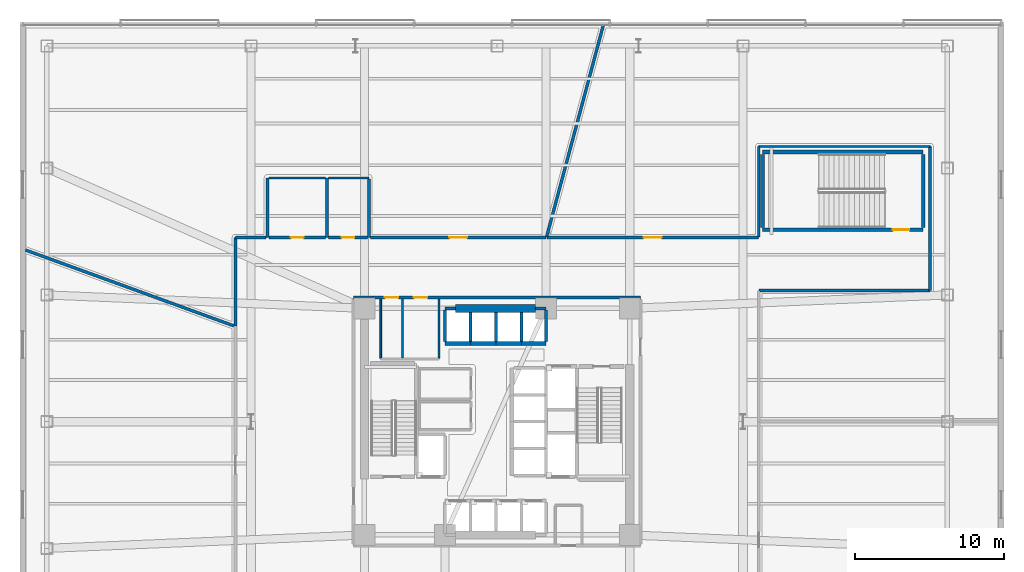
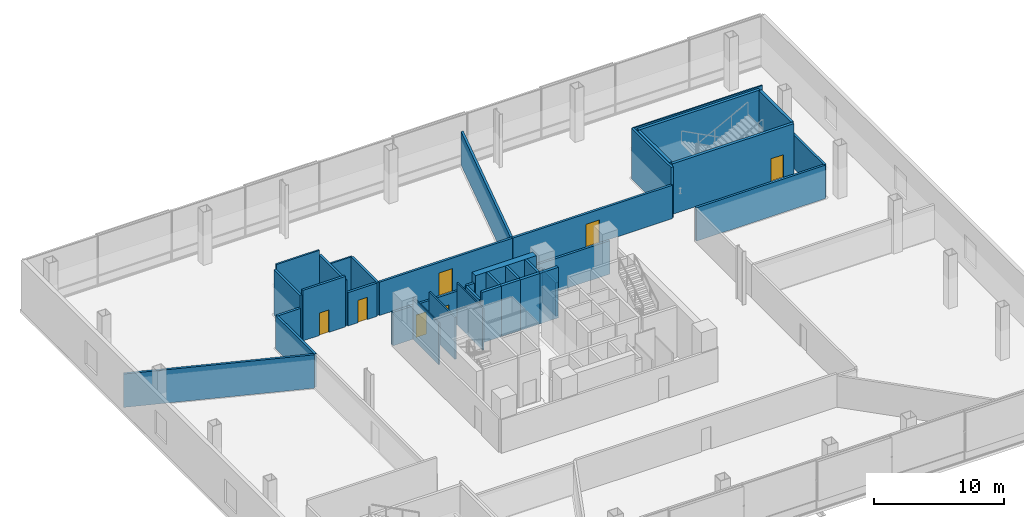
# One storey, part 13 of 24: 37 walls, 7 doors, 7 openings.
"""IFC4 building model written with IfcOpenShell, lengths in metres."""

from ifc_helpers import new_model, si_unit, direction, frame, frame_2d, origin, place, context, subcontext, project, spatial, rectangle, extrude, material, layer, layer_set, type_object, element, fill, save


model = new_model("IFC4")

# Units and contexts
model_context = context("Model", 3, precision=1e-05, world=origin(), true_north=direction((0.0, 1.0)))
body_context = subcontext(model_context, "Body", "Model", "MODEL_VIEW")
ifc_project = project(units=[si_unit("LENGTHUNIT", "METRE"), si_unit("AREAUNIT", "SQUARE_METRE"), si_unit("VOLUMEUNIT", "CUBIC_METRE"), si_unit("PLANEANGLEUNIT", "RADIAN"), si_unit("MASSUNIT", "GRAM", prefix="KILO")], contexts=[model_context])

# Site, building, storey
site_placement = place(None, origin())
site = spatial("IfcSite", under=ifc_project, at=site_placement, CompositionType="ELEMENT")
building_placement = place(site_placement, origin())
building = spatial("IfcBuilding", under=site, at=building_placement, Name="Tharavind Bronze Gate", CompositionType="ELEMENT")
storey_placement = place(building_placement, frame((0.0, 0.0, 21.5)))
storey = spatial("IfcBuildingStorey", under=building, at=storey_placement, Name="L04", CompositionType="ELEMENT", Elevation=21.5)

# Wall, openings, doors
ifc_material_1 = material(Name="Aerated Concrete Block", Category="concrete")
ifc_layer_1 = layer(ifc_material_1, 0.199951171875)
ifc_layer_set_1 = layer_set([ifc_layer_1], Name="Aerated Concrete Block")
wall_type_1 = type_object("IfcWallType", Name="FIRE RATED PARTITION 200", PredefinedType="PARTITIONING", material=ifc_layer_set_1)
wall_1_placement = place(storey_placement, frame((9.6201171875, 8.320068359375, 0.0), z_axis=(0.0, 0.0, 1.0), x_axis=(-1.0, 0.0, 0.0)))
wall_1 = element("IfcWall", 1, at=wall_1_placement, inside=storey, type_object=wall_type_1, Name="L04 north core corridor wall", PredefinedType="PARTITIONING", context=body_context, shape_type="SweptSolid", body=[
    extrude(rectangle(XDim=19.240234375, YDim=0.199951171875, at=frame_2d((9.6201171875, 0.0))), origin(), (0.0, 0.0, 1.0), 3.135009765625),
])
opening_1_placement = place(wall_1_placement, frame((16.2451171875, 0.0, 0.0)))
opening_1 = element("IfcOpeningElement", 2, at=opening_1_placement, cuts=wall_1, Name="Opening ID07", PredefinedType="OPENING", context=body_context, shape_type="SweptSolid", body=[
    extrude(rectangle(XDim=0.89990234375, YDim=2.10009765625, at=frame_2d((0.449951171875, 1.050048828125))), frame((0.0, 0.11009765625, 0.0), z_axis=(0.0, -1.0, 0.0), x_axis=(1.0, 0.0, 0.0)), (0.0, 0.0, 1.0), 0.219951171875),
])
opening_2_placement = place(wall_1_placement, frame((14.294921875, 0.0, 0.0)))
opening_2 = element("IfcOpeningElement", 3, at=opening_2_placement, cuts=wall_1, Name="Opening ID07", PredefinedType="OPENING", context=body_context, shape_type="SweptSolid", body=[
    extrude(rectangle(XDim=0.89990234375, YDim=2.10009765625, at=frame_2d((0.449951171875, 1.050048828125))), frame((0.0, 0.11009765625, 0.0), z_axis=(0.0, -1.0, 0.0), x_axis=(1.0, 0.0, 0.0)), (0.0, 0.0, 1.0), 0.219951171875),
])
ifc_material_2 = material(Name="Galvanised Fire Steel", Category="steel")
door_type_1 = type_object("IfcDoorType", Name="PLANT AND RISER FIRE DOOR 900X2100", OperationType="SINGLE_SWING_LEFT", PredefinedType="DOOR", material=ifc_material_2)
door_1_placement = place(opening_1_placement, frame((0.89990234375, 0.0, 0.0), z_axis=(0.0, 0.0, 1.0), x_axis=(-1.0, 0.0, 0.0)))
door_1 = element("IfcDoor", 4, at=door_1_placement, inside=storey, type_object=door_type_1, Name="L04 Battery Backup Cupboard fire door", OperationType="SINGLE_SWING_LEFT", OverallHeight=2.10009765625, OverallWidth=0.89990234375, PredefinedType="DOOR", context=body_context, shape_type="SweptSolid", body=[
    extrude(rectangle(XDim=0.89990234375, YDim=2.10009765625, at=frame_2d((0.449951171875, 1.050048828125))), frame((0.0, 0.02490234375, 0.0), z_axis=(0.0, -1.0, 0.0), x_axis=(1.0, 0.0, 0.0)), (0.0, 0.0, 1.0), 0.050048828125),
])
fill(opening_1, door_1)
door_2_placement = place(opening_2_placement, frame((0.89990234375, 0.0, 0.0), z_axis=(0.0, 0.0, 1.0), x_axis=(-1.0, 0.0, 0.0)))
door_2 = element("IfcDoor", 5, at=door_2_placement, inside=storey, type_object=door_type_1, Name="L04 Cleaner Store Room fire door", OperationType="SINGLE_SWING_LEFT", OverallHeight=2.10009765625, OverallWidth=0.89990234375, PredefinedType="DOOR", context=body_context, shape_type="SweptSolid", body=[
    extrude(rectangle(XDim=0.89990234375, YDim=2.10009765625, at=frame_2d((0.449951171875, 1.050048828125))), frame((0.0, 0.02490234375, 0.0), z_axis=(0.0, -1.0, 0.0), x_axis=(1.0, 0.0, 0.0)), (0.0, 0.0, 1.0), 0.050048828125),
])
fill(opening_2, door_2)

# Walls
wall_2_placement = place(storey_placement, frame((-11.39990234375, 12.35009765625, 0.0), z_axis=(0.0, 0.0, 1.0), x_axis=(0.0, 1.0, 0.0)))
element("IfcWall", 6, at=wall_2_placement, inside=storey, type_object=wall_type_1, Name="L04 Accessible Toilet partition", PredefinedType="PARTITIONING", context=body_context, shape_type="SweptSolid", body=[
    extrude(rectangle(XDim=4.0, YDim=0.199951171875, at=frame_2d((2.0, 0.0))), origin(), (0.0, 0.0, 1.0), 4.284912109375),
])
wall_3_placement = place(storey_placement, frame((-8.60009765625, 16.27001953125, 0.0), z_axis=(0.0, 0.0, 1.0), x_axis=(0.0, -1.0, 0.0)))
element("IfcWall", 7, at=wall_3_placement, inside=storey, type_object=wall_type_1, Name="L04 Accessible Toilet partition", PredefinedType="PARTITIONING", context=body_context, shape_type="SweptSolid", body=[
    extrude(rectangle(XDim=3.919921875, YDim=0.199951171875, at=frame_2d((1.9599609375, 0.0))), origin(), (0.0, 0.0, 1.0), 3.135009765625),
])

# Wall, opening, door
wall_4_placement = place(storey_placement, frame((-8.705078125, 12.35009765625, 0.0), z_axis=(0.0, 0.0, 1.0), x_axis=(-1.0, 0.0, 0.0)))
wall_4 = element("IfcWall", 8, at=wall_4_placement, inside=storey, type_object=wall_type_1, Name="L04 Accessible Toilet partition", PredefinedType="PARTITIONING", context=body_context, shape_type="SweptSolid", body=[
    extrude(rectangle(XDim=2.58984375, YDim=0.199951171875, at=frame_2d((1.294921875, 0.0))), origin(), (0.0, 0.0, 1.0), 3.135009765625),
])
opening_3_placement = place(wall_4_placement, frame((0.8701171875, 0.0, 0.0)))
opening_3 = element("IfcOpeningElement", 9, at=opening_3_placement, cuts=wall_4, Name="Opening ID06", PredefinedType="OPENING", context=body_context, shape_type="SweptSolid", body=[
    extrude(rectangle(XDim=0.85009765625, YDim=2.10009765625, at=frame_2d((0.425048828125, 1.050048828125))), frame((0.0, 0.11009765625, 0.0), z_axis=(0.0, -1.0, 0.0), x_axis=(1.0, 0.0, 0.0)), (0.0, 0.0, 1.0), 0.219951171875),
])
ifc_material_3 = material(Name="Moisture-Resistant Timber", Category="wood")
door_type_2 = type_object("IfcDoorType", Name="BATHROOM PRIVACY DOOR 850X2100", OperationType="SINGLE_SWING_RIGHT", PredefinedType="DOOR", material=ifc_material_3)
door_3_placement = place(opening_3_placement, origin())
door_3 = element("IfcDoor", 10, at=door_3_placement, inside=storey, type_object=door_type_2, Name="L04 Accessible Toilet door", OperationType="SINGLE_SWING_RIGHT", OverallHeight=2.10009765625, OverallWidth=0.85009765625, PredefinedType="DOOR", context=body_context, shape_type="SweptSolid", body=[
    extrude(rectangle(XDim=0.85009765625, YDim=2.10009765625, at=frame_2d((0.425048828125, 1.050048828125))), frame((0.0, 0.02490234375, 0.0), z_axis=(0.0, -1.0, 0.0), x_axis=(1.0, 0.0, 0.0)), (0.0, 0.0, 1.0), 0.050048828125),
])
fill(opening_3, door_3)

# Wall
wall_5_placement = place(storey_placement, frame((-15.39990234375, 12.35009765625, 0.0), z_axis=(0.0, 0.0, 1.0), x_axis=(0.0, 1.0, 0.0)))
element("IfcWall", 11, at=wall_5_placement, inside=storey, type_object=wall_type_1, Name="L04 Public Washroom partition", PredefinedType="PARTITIONING", context=body_context, shape_type="SweptSolid", body=[
    extrude(rectangle(XDim=4.0, YDim=0.199951171875, at=frame_2d((2.0, 0.0))), origin(), (0.0, 0.0, 1.0), 4.284912109375),
])

# Wall, opening, door
wall_6_placement = place(storey_placement, frame((-11.5048828125, 12.35009765625, 0.0), z_axis=(0.0, 0.0, 1.0), x_axis=(-1.0, 0.0, 0.0)))
wall_6 = element("IfcWall", 12, at=wall_6_placement, inside=storey, type_object=wall_type_1, Name="L04 Public Washroom partition", PredefinedType="PARTITIONING", context=body_context, shape_type="SweptSolid", body=[
    extrude(rectangle(XDim=3.7900390625, YDim=0.199951171875, at=frame_2d((1.89501953125, 0.0))), origin(), (0.0, 0.0, 1.0), 4.739990234375),
])
opening_4_placement = place(wall_6_placement, frame((1.469970703125, 0.0, 0.0)))
opening_4 = element("IfcOpeningElement", 13, at=opening_4_placement, cuts=wall_6, Name="Opening ID06", PredefinedType="OPENING", context=body_context, shape_type="SweptSolid", body=[
    extrude(rectangle(XDim=0.85009765625, YDim=2.10009765625, at=frame_2d((0.425048828125, 1.050048828125))), frame((0.0, 0.11009765625, 0.0), z_axis=(0.0, -1.0, 0.0), x_axis=(1.0, 0.0, 0.0)), (0.0, 0.0, 1.0), 0.219951171875),
])
door_4_placement = place(opening_4_placement, origin())
door_4 = element("IfcDoor", 14, at=door_4_placement, inside=storey, type_object=door_type_2, Name="L04 Public Washroom door", OperationType="SINGLE_SWING_RIGHT", OverallHeight=2.10009765625, OverallWidth=0.85009765625, PredefinedType="DOOR", context=body_context, shape_type="SweptSolid", body=[
    extrude(rectangle(XDim=0.85009765625, YDim=2.10009765625, at=frame_2d((0.425048828125, 1.050048828125))), frame((0.0, 0.02490234375, 0.0), z_axis=(0.0, -1.0, 0.0), x_axis=(1.0, 0.0, 0.0)), (0.0, 0.0, 1.0), 0.050048828125),
])
fill(opening_4, door_4)

# Wall
wall_7_placement = place(storey_placement, frame((17.550048828125, 18.449462890625, 0.0), z_axis=(0.0, 0.0, 1.0), x_axis=(0.0, -1.0, 0.0)))
element("IfcWall", 15, at=wall_7_placement, inside=storey, type_object=wall_type_1, Name="L04 Wellness Spa Treatment Hall partition", PredefinedType="PARTITIONING", context=body_context, shape_type="SweptSolid", body=[
    extrude(rectangle(XDim=6.074462890625, YDim=0.199951171875, at=frame_2d((3.037109375, 0.0))), origin(), (0.0, 0.0, 1.0), 4.739990234375),
])

# Wall, opening, door
wall_8_placement = place(storey_placement, frame((17.52490234375, 12.35009765625, 0.0), z_axis=(0.0, 0.0, 1.0), x_axis=(-1.0, 0.0, 0.0)))
wall_8 = element("IfcWall", 16, at=wall_8_placement, inside=storey, type_object=wall_type_1, Name="L04 Wellness Spa Treatment Hall partition", PredefinedType="PARTITIONING", context=body_context, shape_type="SweptSolid", body=[
    extrude(rectangle(XDim=14.18310546875, YDim=0.199951171875, at=frame_2d((7.091552734375, 0.0))), origin(), (0.0, 0.0, 1.0), 3.135009765625),
])
opening_5_placement = place(wall_8_placement, frame((6.491943359375, 0.0, 0.0)))
opening_5 = element("IfcOpeningElement", 17, at=opening_5_placement, cuts=wall_8, Name="Opening ID05", PredefinedType="OPENING", context=body_context, shape_type="SweptSolid", body=[
    extrude(rectangle(XDim=1.199951171875, YDim=2.14990234375, at=frame_2d((0.60009765625, 1.074951171875))), frame((0.0, 0.11009765625, 0.0), z_axis=(0.0, -1.0, 0.0), x_axis=(1.0, 0.0, 0.0)), (0.0, 0.0, 1.0), 0.219951171875),
])
ifc_material_4 = material(Name="Acoustic Laminated Glass", Category="glass")
door_type_3 = type_object("IfcDoorType", Name="MEETING ROOM GLAZED DOOR 1200X2150", OperationType="SINGLE_SWING_LEFT", PredefinedType="DOOR", material=ifc_material_4)
door_5_placement = place(opening_5_placement, origin())
door_5 = element("IfcDoor", 18, at=door_5_placement, inside=storey, type_object=door_type_3, Name="L04 Wellness Spa Treatment Hall door", OperationType="SINGLE_SWING_LEFT", OverallHeight=2.14990234375, OverallWidth=1.199951171875, PredefinedType="DOOR", context=body_context, shape_type="SweptSolid", body=[
    extrude(rectangle(XDim=1.199951171875, YDim=2.14990234375, at=frame_2d((0.60009765625, 1.074951171875))), frame((0.0, 0.02490234375, 0.0), z_axis=(0.0, -1.0, 0.0), x_axis=(1.0, 0.0, 0.0)), (0.0, 0.0, 1.0), 0.050048828125),
])
fill(opening_5, door_5)

# Walls
wall_9_placement = place(storey_placement, frame((3.317626953125, 12.381591796875, 0.0), z_axis=(0.0, 0.0, 1.0), x_axis=(0.258808202965, 0.965928731366, 0.0)))
element("IfcWall", 19, at=wall_9_placement, inside=storey, type_object=wall_type_1, Name="L04 Wellness Spa Treatment Hall partition", PredefinedType="PARTITIONING", context=body_context, shape_type="SweptSolid", body=[
    extrude(rectangle(XDim=14.721435546875, YDim=0.199951171875, at=frame_2d((7.36083984375, 0.0))), origin(), (0.0, 0.0, 1.0), 3.135009765625),
])
wall_10_placement = place(storey_placement, frame((17.574951171875, 8.800048828125, 0.0), z_axis=(0.0, 0.0, 1.0), x_axis=(1.0, 0.0, 0.0)))
element("IfcWall", 20, at=wall_10_placement, inside=storey, type_object=wall_type_1, Name="L04 Wellness Spa Treatment Hall partition", PredefinedType="PARTITIONING", context=body_context, shape_type="SweptSolid", body=[
    extrude(rectangle(XDim=11.474365234375, YDim=0.199951171875, at=frame_2d((5.7373046875, 0.0))), origin(), (0.0, 0.0, 1.0), 3.135009765625),
])
wall_11_placement = place(storey_placement, frame((29.050048828125, 8.800537109375, 0.0), z_axis=(0.0, 0.0, 1.0), x_axis=(0.0, 1.0, 0.0)))
element("IfcWall", 21, at=wall_11_placement, inside=storey, type_object=wall_type_1, Name="L04 Wellness Spa Treatment Hall partition", PredefinedType="PARTITIONING", context=body_context, shape_type="SweptSolid", body=[
    extrude(rectangle(XDim=9.64892578125, YDim=0.199951171875, at=frame_2d((4.824462890625, 0.0))), origin(), (0.0, 0.0, 1.0), 3.135009765625),
])

# Wall, opening, door
wall_12_placement = place(storey_placement, frame((3.2900390625, 12.35009765625, 0.0), z_axis=(0.0, 0.0, 1.0), x_axis=(-1.0, 0.0, 0.0)))
wall_12 = element("IfcWall", 22, at=wall_12_placement, inside=storey, type_object=wall_type_1, Name="L04 Indoor Lap Pool & Hydrotherapy Hall partition", PredefinedType="PARTITIONING", context=body_context, shape_type="SweptSolid", body=[
    extrude(rectangle(XDim=11.78515625, YDim=0.199951171875, at=frame_2d((5.892578125, 0.0))), origin(), (0.0, 0.0, 1.0), 3.135009765625),
])
opening_6_placement = place(wall_12_placement, frame((5.29296875, 0.0, 0.0)))
opening_6 = element("IfcOpeningElement", 23, at=opening_6_placement, cuts=wall_12, Name="Opening ID05", PredefinedType="OPENING", context=body_context, shape_type="SweptSolid", body=[
    extrude(rectangle(XDim=1.199951171875, YDim=2.14990234375, at=frame_2d((0.60009765625, 1.074951171875))), frame((0.0, 0.11009765625, 0.0), z_axis=(0.0, -1.0, 0.0), x_axis=(1.0, 0.0, 0.0)), (0.0, 0.0, 1.0), 0.219951171875),
])
door_6_placement = place(opening_6_placement, origin())
door_6 = element("IfcDoor", 24, at=door_6_placement, inside=storey, type_object=door_type_3, Name="L04 Indoor Lap Pool & Hydrotherapy Hall door", OperationType="SINGLE_SWING_LEFT", OverallHeight=2.14990234375, OverallWidth=1.199951171875, PredefinedType="DOOR", context=body_context, shape_type="SweptSolid", body=[
    extrude(rectangle(XDim=1.199951171875, YDim=2.14990234375, at=frame_2d((0.60009765625, 1.074951171875))), frame((0.0, 0.02490234375, 0.0), z_axis=(0.0, -1.0, 0.0), x_axis=(1.0, 0.0, 0.0)), (0.0, 0.0, 1.0), 0.050048828125),
])
fill(opening_6, door_6)

# Walls
wall_13_placement = place(storey_placement, frame((-15.5048828125, 12.35009765625, 0.0), z_axis=(0.0, 0.0, 1.0), x_axis=(-1.0, 0.0, 0.0)))
element("IfcWall", 25, at=wall_13_placement, inside=storey, type_object=wall_type_1, Name="L04 Indoor Lap Pool & Hydrotherapy Hall partition", PredefinedType="PARTITIONING", context=body_context, shape_type="SweptSolid", body=[
    extrude(rectangle(XDim=2.04443359375, YDim=0.199951171875, at=frame_2d((1.022216796875, 0.0))), origin(), (0.0, 0.0, 1.0), 3.135009765625),
])
wall_14_placement = place(storey_placement, frame((-17.550048828125, 12.349365234375, 0.0), z_axis=(0.0, 0.0, 1.0), x_axis=(0.0, -1.0, 0.0)))
element("IfcWall", 26, at=wall_14_placement, inside=storey, type_object=wall_type_1, Name="L04 Indoor Lap Pool & Hydrotherapy Hall partition", PredefinedType="PARTITIONING", context=body_context, shape_type="SweptSolid", body=[
    extrude(rectangle(XDim=5.926025390625, YDim=0.199951171875, at=frame_2d((2.962890625, 0.0))), origin(), (0.0, 0.0, 1.0), 3.135009765625),
])
wall_15_placement = place(storey_placement, frame((-17.655029296875, 6.42578125, 0.0), z_axis=(0.0, 0.0, 1.0), x_axis=(-0.939687047594, 0.342035455157, 0.0)))
element("IfcWall", 27, at=wall_15_placement, inside=storey, type_object=wall_type_1, Name="L04 Indoor Lap Pool & Hydrotherapy Hall partition", PredefinedType="PARTITIONING", context=body_context, shape_type="SweptSolid", body=[
    extrude(rectangle(XDim=14.882568359375, YDim=0.199951171875, at=frame_2d((7.44140625, 0.0))), origin(), (0.0, 0.0, 1.0), 3.135009765625),
])
ifc_material_5 = material(Name="Metal Stud Gypsum Partition", Category="gypsum")
ifc_layer_2 = layer(ifc_material_5, 0.1201171875)
ifc_layer_set_2 = layer_set([ifc_layer_2], Name="Metal Stud Gypsum Partition")
wall_type_2 = type_object("IfcWallType", Name="INTERIOR PARTITION WALL 120", PredefinedType="PARTITIONING", material=ifc_layer_set_2)
for number, where, z_axis, x_axis, name in (
    (28, (-6.35009765625, 4.264892578125, 0.0), (0.0, 0.0, 1.0), (0.0, 1.0, 0.0), "L04 Battery Backup Cupboard partition 2"),
    (29, (-7.800048828125, 8.215087890625, 0.0), (0.0, 0.0, 1.0), (0.0, -1.0, 0.0), "L04 Battery Backup Cupboard partition 4"),
    (30, (-3.89990234375, 4.264892578125, 0.0), (0.0, 0.0, 1.0), (0.0, 1.0, 0.0), "L04 Cleaner Store Room partition 2"),
):
    element("IfcWall", number, at=place(storey_placement, frame(where, z_axis=z_axis, x_axis=x_axis)), inside=storey, type_object=wall_type_2, Name=name, PredefinedType="PARTITIONING", context=body_context, shape_type="SweptSolid", body=[
        extrude(rectangle(XDim=3.9501953125, YDim=0.1201171875, at=frame_2d((1.97509765625, 0.0))), origin(), (0.0, 0.0, 1.0), 3.93505859375),
    ])
wall_16_placement = place(storey_placement, frame((29.04931640625, 18.449951171875, 0.0), z_axis=(0.0, 0.0, 1.0), x_axis=(-1.0, 0.0, 0.0)))
element("IfcWall", 31, at=wall_16_placement, inside=storey, type_object=wall_type_2, Name="L04 Wellness Spa Treatment Hall partition", PredefinedType="PARTITIONING", context=body_context, shape_type="SweptSolid", body=[
    extrude(rectangle(XDim=11.498779296875, YDim=0.1201171875, at=frame_2d((5.74951171875, 0.0))), origin(), (0.0, 0.0, 1.0), 4.739990234375),
])
ifc_material_6 = material(Name="Twin Stud Acoustic Gypsum", Category="gypsum")
ifc_layer_3 = layer(ifc_material_6, 0.14990234375)
ifc_layer_set_3 = layer_set([ifc_layer_3], Name="Twin Stud Acoustic Gypsum")
wall_type_3 = type_object("IfcWallType", Name="INTERIOR PARTITION WALL 150", PredefinedType="PARTITIONING", material=ifc_layer_set_3)
wall_17_placement = place(storey_placement, frame((-11.294921875, 16.35009765625, 0.0), z_axis=(0.0, 0.0, 1.0), x_axis=(1.0, 0.0, 0.0)))
element("IfcWall", 32, at=wall_17_placement, inside=storey, type_object=wall_type_3, Name="L04 Accessible Toilet partition", PredefinedType="PARTITIONING", context=body_context, shape_type="SweptSolid", body=[
    extrude(rectangle(XDim=2.69482421875, YDim=0.14990234375, at=frame_2d((1.347412109375, 0.0))), origin(), (0.0, 0.0, 1.0), 3.135009765625),
])
wall_18_placement = place(storey_placement, frame((-15.294921875, 16.35009765625, 0.0), z_axis=(0.0, 0.0, 1.0), x_axis=(1.0, 0.0, 0.0)))
element("IfcWall", 33, at=wall_18_placement, inside=storey, type_object=wall_type_3, Name="L04 Public Washroom partition", PredefinedType="PARTITIONING", context=body_context, shape_type="SweptSolid", body=[
    extrude(rectangle(XDim=3.7900390625, YDim=0.14990234375, at=frame_2d((1.89501953125, 0.0))), origin(), (0.0, 0.0, 1.0), 4.739990234375),
])

# Wall, opening, door
ifc_material_7 = material(Name="Concrete C50/60", Category="concrete")
ifc_layer_4 = layer(ifc_material_7, 0.25)
ifc_layer_set_4 = layer_set([ifc_layer_4], Name="Concrete C50/60")
wall_type_4 = type_object("IfcWallType", Name="RC CORE SHEAR WALL 250", PredefinedType="SHEAR", material=ifc_layer_set_4)
wall_19_placement = place(storey_placement, frame((17.800048828125, 12.8701171875, 0.0), z_axis=(0.0, 0.0, 1.0), x_axis=(1.0, 0.0, 0.0)))
wall_19 = element("IfcWall", 34, at=wall_19_placement, inside=storey, type_object=wall_type_4, Name="L04 ST4 south wall", PredefinedType="SHEAR", context=body_context, shape_type="SweptSolid", body=[
    extrude(rectangle(XDim=10.780029296875, YDim=0.25, at=frame_2d((5.39013671875, 0.0))), origin(), (0.0, 0.0, 1.0), 4.739990234375),
])
opening_7_placement = place(wall_19_placement, frame((8.75, 0.0, 0.0)))
opening_7 = element("IfcOpeningElement", 35, at=opening_7_placement, cuts=wall_19, Name="Opening ID01", PredefinedType="OPENING", context=body_context, shape_type="SweptSolid", body=[
    extrude(rectangle(XDim=1.10009765625, YDim=2.14990234375, at=frame_2d((0.550048828125, 1.074951171875))), frame((0.0, 0.135, 0.0), z_axis=(0.0, -1.0, 0.0), x_axis=(1.0, 0.0, 0.0)), (0.0, 0.0, 1.0), 0.27),
])
ifc_material_8 = material(Name="Fire-Rated Steel", Category="steel")
door_type_4 = type_object("IfcDoorType", Name="STAIR CORE FIRE DOOR 1100X2150", OperationType="SINGLE_SWING_LEFT", PredefinedType="DOOR", material=ifc_material_8)
door_7_placement = place(opening_7_placement, origin())
door_7 = element("IfcDoor", 36, at=door_7_placement, inside=storey, type_object=door_type_4, Name="L04 podium stair ST4 fire door", OperationType="SINGLE_SWING_LEFT", OverallHeight=2.14990234375, OverallWidth=1.10009765625, PredefinedType="DOOR", context=body_context, shape_type="SweptSolid", body=[
    extrude(rectangle(XDim=1.10009765625, YDim=2.14990234375, at=frame_2d((0.550048828125, 1.074951171875))), frame((0.0, 0.02490234375, 0.0), z_axis=(0.0, -1.0, 0.0), x_axis=(1.0, 0.0, 0.0)), (0.0, 0.0, 1.0), 0.050048828125),
])
fill(opening_7, door_7)

# Walls
wall_20_placement = place(storey_placement, frame((17.800048828125, 18.080078125, 0.0), z_axis=(0.0, 0.0, 1.0), x_axis=(1.0, 0.0, 0.0)))
element("IfcWall", 37, at=wall_20_placement, inside=storey, type_object=wall_type_4, Name="L04 ST4 north wall", PredefinedType="SHEAR", context=body_context, shape_type="SweptSolid", body=[
    extrude(rectangle(XDim=10.780029296875, YDim=0.25, at=frame_2d((5.39013671875, 0.0))), origin(), (0.0, 0.0, 1.0), 4.739990234375),
])
for number, where, z_axis, x_axis, name in (
    (38, (17.800048828125, 13.02001953125, 0.0), (0.0, 0.0, 1.0), (0.0, 1.0, 0.0), "L04 ST4 west wall"),
    (39, (28.580078125, 13.02001953125, 0.0), (0.0, 0.0, 1.0), (0.0, 1.0, 0.0), "L04 ST4 east wall"),
):
    element("IfcWall", number, at=place(storey_placement, frame(where, z_axis=z_axis, x_axis=x_axis)), inside=storey, type_object=wall_type_4, Name=name, PredefinedType="SHEAR", context=body_context, shape_type="SweptSolid", body=[
        extrude(rectangle(XDim=4.909912109375, YDim=0.25, at=frame_2d((2.455078125, 0.0))), origin(), (0.0, 0.0, 1.0), 4.739990234375),
    ])
wall_21_placement = place(storey_placement, frame((-3.5, 5.25, 0.0), z_axis=(0.0, 0.0, 1.0), x_axis=(1.0, 0.0, 0.0)))
element("IfcWall", 40, at=wall_21_placement, inside=storey, type_object=wall_type_4, Name="L04 lift PL5 shaft front wall", PredefinedType="SHEAR", context=body_context, shape_type="SweptSolid", body=[
    extrude(rectangle(XDim=1.71240234375, YDim=0.25, at=frame_2d((0.856201171875, 0.0))), origin(), (0.0, 0.0, 1.0), 4.739990234375),
])
wall_22_placement = place(storey_placement, frame((-1.78759765625, 5.25, 0.0), z_axis=(0.0, 0.0, 1.0), x_axis=(1.0, 0.0, 0.0)))
element("IfcWall", 41, at=wall_22_placement, inside=storey, type_object=wall_type_4, Name="L04 lift PL6 shaft front wall", PredefinedType="SHEAR", context=body_context, shape_type="SweptSolid", body=[
    extrude(rectangle(XDim=1.712646484375, YDim=0.25, at=frame_2d((0.8564453125, 0.0))), origin(), (0.0, 0.0, 1.0), 4.739990234375),
])
wall_23_placement = place(storey_placement, frame((-0.074951171875, 5.25, 0.0), z_axis=(0.0, 0.0, 1.0), x_axis=(1.0, 0.0, 0.0)))
element("IfcWall", 42, at=wall_23_placement, inside=storey, type_object=wall_type_4, Name="L04 lift PL7 shaft front wall", PredefinedType="SHEAR", context=body_context, shape_type="SweptSolid", body=[
    extrude(rectangle(XDim=1.71240234375, YDim=0.25, at=frame_2d((0.856201171875, 0.0))), origin(), (0.0, 0.0, 1.0), 4.739990234375),
])
wall_24_placement = place(storey_placement, frame((1.637451171875, 5.25, 0.0), z_axis=(0.0, 0.0, 1.0), x_axis=(1.0, 0.0, 0.0)))
element("IfcWall", 43, at=wall_24_placement, inside=storey, type_object=wall_type_4, Name="L04 lift PL8 shaft front wall", PredefinedType="SHEAR", context=body_context, shape_type="SweptSolid", body=[
    extrude(rectangle(XDim=1.642578125, YDim=0.25, at=frame_2d((0.8212890625, 0.0))), origin(), (0.0, 0.0, 1.0), 4.739990234375),
])
ifc_material_9 = material(Name="Concrete C60/75", Category="concrete")
ifc_layer_5 = layer(ifc_material_9, 0.550048828125)
ifc_layer_set_5 = layer_set([ifc_layer_5], Name="Concrete C60/75")
wall_type_5 = type_object("IfcWallType", Name="RC CORE SHEAR WALL 550", PredefinedType="SHEAR", material=ifc_layer_set_5)
wall_25_placement = place(storey_placement, frame((-2.800048828125, 7.60009765625, 0.0), z_axis=(0.0, 0.0, 1.0), x_axis=(1.0, 0.0, 0.0)))
element("IfcWall", 44, at=wall_25_placement, inside=storey, type_object=wall_type_5, Name="L04 north core shear wall", PredefinedType="SHEAR", context=body_context, shape_type="SweptSolid", body=[
    extrude(rectangle(XDim=5.380126953125, YDim=0.550048828125, at=frame_2d((2.68994140625, 0.0))), origin(), (0.0, 0.0, 1.0), 4.739990234375),
])
ifc_material_10 = material(Name="Concrete C40/50", Category="concrete")
ifc_layer_6 = layer(ifc_material_10, 0.199951171875)
ifc_layer_set_6 = layer_set([ifc_layer_6], Name="Concrete C40/50")
wall_type_6 = type_object("IfcWallType", Name="SHAFT ENCLOSURE WALL 200", PredefinedType="PARTITIONING", material=ifc_layer_set_6)
wall_26_placement = place(storey_placement, frame((-3.5, 7.60009765625, 0.0), z_axis=(0.0, 0.0, 1.0), x_axis=(1.0, 0.0, 0.0)))
element("IfcWall", 45, at=wall_26_placement, inside=storey, type_object=wall_type_6, Name="L04 lift PL5 shaft N enclosure wall", PredefinedType="PARTITIONING", context=body_context, shape_type="SweptSolid", body=[
    extrude(rectangle(XDim=0.699951171875, YDim=0.199951171875, at=frame_2d((0.35009765625, 0.0))), origin(), (0.0, 0.0, 1.0), 3.93505859375),
])
wall_27_placement = place(storey_placement, frame((-3.5, 5.3798828125, 0.0), z_axis=(0.0, 0.0, 1.0), x_axis=(0.0, 1.0, 0.0)))
element("IfcWall", 46, at=wall_27_placement, inside=storey, type_object=wall_type_6, Name="L04 lift PL5 shaft W enclosure wall", PredefinedType="PARTITIONING", context=body_context, shape_type="SweptSolid", body=[
    extrude(rectangle(XDim=2.115234375, YDim=0.199951171875, at=frame_2d((1.0576171875, 0.0))), origin(), (0.0, 0.0, 1.0), 3.93505859375),
])
for number, where, z_axis, x_axis, name in (
    (47, (-1.78759765625, 5.3798828125, 0.0), (0.0, 0.0, 1.0), (0.0, 1.0, 0.0), "L04 lift PL5 shaft E enclosure wall"),
    (48, (-0.074951171875, 5.3798828125, 0.0), (0.0, 0.0, 1.0), (0.0, 1.0, 0.0), "L04 lift PL6 shaft E enclosure wall"),
    (49, (1.637451171875, 5.3798828125, 0.0), (0.0, 0.0, 1.0), (0.0, 1.0, 0.0), "L04 lift PL7 shaft E enclosure wall"),
):
    element("IfcWall", number, at=place(storey_placement, frame(where, z_axis=z_axis, x_axis=x_axis)), inside=storey, type_object=wall_type_6, Name=name, PredefinedType="PARTITIONING", context=body_context, shape_type="SweptSolid", body=[
        extrude(rectangle(XDim=1.940185546875, YDim=0.199951171875, at=frame_2d((0.97021484375, 0.0))), origin(), (0.0, 0.0, 1.0), 4.739990234375),
    ])
wall_28_placement = place(storey_placement, frame((2.580078125, 7.60009765625, 0.0), z_axis=(0.0, 0.0, 1.0), x_axis=(1.0, 0.0, 0.0)))
element("IfcWall", 50, at=wall_28_placement, inside=storey, type_object=wall_type_6, Name="L04 lift PL8 shaft N enclosure wall", PredefinedType="PARTITIONING", context=body_context, shape_type="SweptSolid", body=[
    extrude(rectangle(XDim=0.699951171875, YDim=0.199951171875, at=frame_2d((0.35009765625, 0.0))), origin(), (0.0, 0.0, 1.0), 3.135009765625),
])
wall_29_placement = place(storey_placement, frame((3.280029296875, 5.3798828125, 0.0), z_axis=(0.0, 0.0, 1.0), x_axis=(0.0, 1.0, 0.0)))
element("IfcWall", 51, at=wall_29_placement, inside=storey, type_object=wall_type_6, Name="L04 lift PL8 shaft E enclosure wall", PredefinedType="PARTITIONING", context=body_context, shape_type="SweptSolid", body=[
    extrude(rectangle(XDim=2.115234375, YDim=0.199951171875, at=frame_2d((1.0576171875, 0.0))), origin(), (0.0, 0.0, 1.0), 3.135009765625),
])

save(model, "model.ifc")
